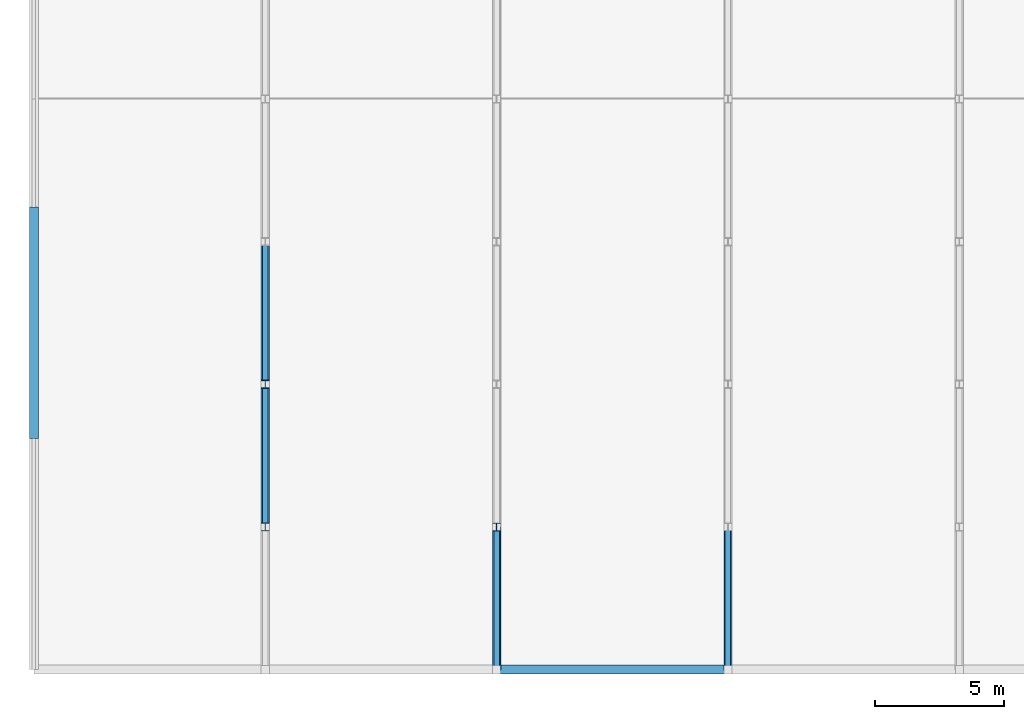
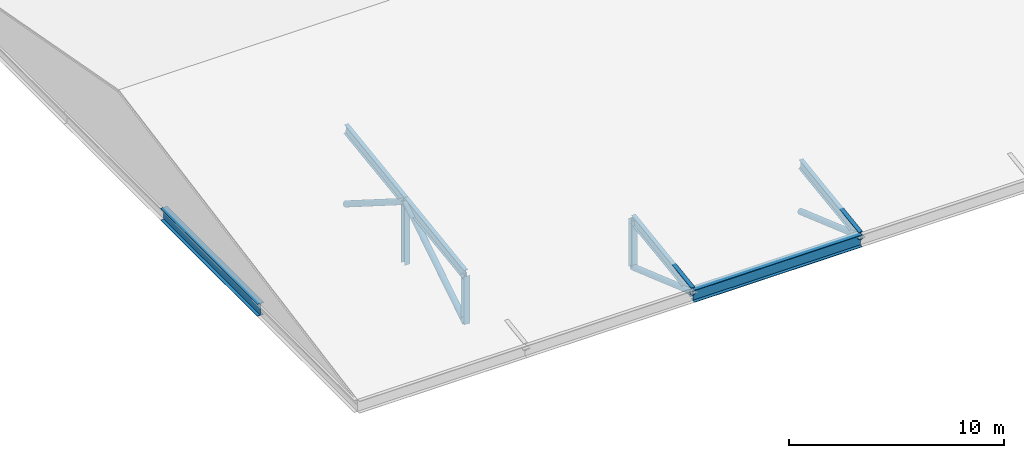
# One storey, part 5 of 103: 11 members, 2 beams.
"""IFC4 building model written with IfcOpenShell, lengths in metres."""

from ifc_helpers import new_model, si_unit, direction, frame, origin, origin_2d, place, context, subcontext, project, spatial, hollow_circle, i_section, extrude, material, material_profile, profile_set, type_object, element, save


model = new_model("IFC4")

# Units and contexts
model_context = context("Model", 3, precision=1e-05, world=origin(), true_north=direction((0.0, 1.0)))
body_context = subcontext(model_context, "Body", "Model", "MODEL_VIEW")
ifc_project = project(units=[si_unit("LENGTHUNIT", "METRE"), si_unit("AREAUNIT", "SQUARE_METRE"), si_unit("VOLUMEUNIT", "CUBIC_METRE"), si_unit("PLANEANGLEUNIT", "RADIAN"), si_unit("MASSUNIT", "GRAM", prefix="KILO")], contexts=[model_context])

# Site, building, storey
site_placement = place(None, origin())
site = spatial("IfcSite", under=ifc_project, at=site_placement, CompositionType="ELEMENT")
building_placement = place(site_placement, origin())
building = spatial("IfcBuilding", under=site, at=building_placement, Name="Cazmaro Siding Exhibition Halls", CompositionType="ELEMENT")
storey_placement = place(building_placement, frame((0.0, 0.0, 16.5)))
storey = spatial("IfcBuildingStorey", under=building, at=storey_placement, Name="L03", CompositionType="ELEMENT", Elevation=16.5)

# Beams
ifc_material_1 = material(Name="Steel ASTM A992 Grade 50", Category="steel")
ifc_material_profile_1 = material_profile(ifc_material_1, i_section(OverallWidth=0.35595703125, OverallDepth=0.696044921875, WebThickness=0.014892578125, FlangeThickness=0.02490234375, at=origin_2d()), Name="W27X146")
ifc_profile_set_1 = profile_set([ifc_material_profile_1], Name="Steel ASTM A992 Grade 50")
beam_type = type_object("IfcBeamType", Name="G-05", PredefinedType="USERDEFINED", material=ifc_profile_set_1)
for number, where, z_axis, x_axis, name in (
    (1, (18.0, 9.0, 0.35205078125), (1.0, 0.0, 0.0), (0.0, 1.0, 0.0), "Beam G-05 BM-1733"),
    (2, (0.0, 27.0, 0.35205078125), (0.0, -1.0, 0.0), (1.0, 0.0, 0.0), "Beam G-05 BM-1769"),
):
    element("IfcBeam", number, at=place(storey_placement, frame(where, z_axis=z_axis, x_axis=x_axis)), inside=storey, type_object=beam_type, Name=name, ObjectType="GIRDER", PredefinedType="USERDEFINED", context=body_context, shape_type="SweptSolid", body=[
        extrude(i_section(OverallWidth=0.35595703125, OverallDepth=0.696044921875, WebThickness=0.014892578125, FlangeThickness=0.02490234375, at=origin_2d()), origin(), (0.0, 0.0, 1.0), 9.0),
    ])

# Members
ifc_material_2 = material(Name="Steel ASTM A992 Grade 50", Category="steel")
ifc_material_profile_2 = material_profile(ifc_material_2, i_section(OverallWidth=0.214111328125, OverallDepth=0.549072265625, WebThickness=0.014892578125, FlangeThickness=0.02392578125, at=origin_2d()), Name="W21X93")
ifc_profile_set_2 = profile_set([ifc_material_profile_2], Name="Steel ASTM A992 Grade 50")
member_type_1 = type_object("IfcMemberType", Name="TC-04", PredefinedType="CHORD", material=ifc_profile_set_2)
member_1_placement = place(storey_placement, frame((9.0, 14.550048828125, 1.280029296875), z_axis=(0.0, 0.990267557209, 0.139176740654), x_axis=(-1.0, 0.0, 0.0)))
element("IfcMember", 3, at=member_1_placement, inside=storey, type_object=member_type_1, Name="Congress folded roof top chord TC-04 MEM-3247", PredefinedType="CHORD", context=body_context, shape_type="SweptSolid", body=[
    extrude(i_section(OverallWidth=0.214111328125, OverallDepth=0.549072265625, WebThickness=0.014892578125, FlangeThickness=0.02392578125, at=origin_2d()), origin(), (0.0, 0.0, 1.0), 5.6044921875),
])
member_2_placement = place(storey_placement, frame((9.0, 20.10009765625, 2.06005859375), z_axis=(0.0, 0.990266713375, 0.139182744555), x_axis=(-1.0, 0.0, 0.0)))
element("IfcMember", 4, at=member_2_placement, inside=storey, type_object=member_type_1, Name="Congress folded roof top chord TC-04 MEM-3250", PredefinedType="CHORD", context=body_context, shape_type="SweptSolid", body=[
    extrude(i_section(OverallWidth=0.214111328125, OverallDepth=0.549072265625, WebThickness=0.014892578125, FlangeThickness=0.02392578125, at=origin_2d()), origin(), (0.0, 0.0, 1.0), 5.604248046875),
])
for number, where, z_axis, x_axis, name in (
    (5, (18.0, 9.0, 0.5), (0.0, 0.990267557209, 0.139176740654), (-1.0, 0.0, 0.0), "Congress folded roof top chord TC-04 MEM-3275"),
    (6, (27.0, 9.0, 0.5), (0.0, 0.990267557209, 0.139176740654), (-1.0, 0.0, 0.0), "Congress folded roof top chord TC-04 MEM-3306"),
):
    element("IfcMember", number, at=place(storey_placement, frame(where, z_axis=z_axis, x_axis=x_axis)), inside=storey, type_object=member_type_1, Name=name, PredefinedType="CHORD", context=body_context, shape_type="SweptSolid", body=[
        extrude(i_section(OverallWidth=0.214111328125, OverallDepth=0.549072265625, WebThickness=0.014892578125, FlangeThickness=0.02392578125, at=origin_2d()), origin(), (0.0, 0.0, 1.0), 5.6044921875),
    ])
ifc_material_3 = material(Name="Steel ASTM A992 Grade 50", Category="steel")
ifc_material_profile_3 = material_profile(ifc_material_3, i_section(OverallWidth=0.304931640625, OverallDepth=0.306884765625, WebThickness=0.010009765625, FlangeThickness=0.014892578125, at=origin_2d()), Name="W12X65")
ifc_profile_set_3 = profile_set([ifc_material_profile_3], Name="Steel ASTM A992 Grade 50")
member_type_2 = type_object("IfcMemberType", Name="TP-03", PredefinedType="POST", material=ifc_profile_set_3)
member_3_placement = place(storey_placement, frame((9.0, 14.550048828125, -1.449951171875), z_axis=(0.0, 0.0, 1.0), x_axis=(1.0, 0.0, 0.0)))
element("IfcMember", 7, at=member_3_placement, inside=storey, type_object=member_type_2, Name="Congress roof post TP-03 MEM-3268", PredefinedType="POST", context=body_context, shape_type="SweptSolid", body=[
    extrude(i_section(OverallWidth=0.304931640625, OverallDepth=0.306884765625, WebThickness=0.010009765625, FlangeThickness=0.014892578125, at=origin_2d()), origin(), (0.0, 0.0, 1.0), 2.72998046875),
])
member_4_placement = place(storey_placement, frame((9.0, 20.10009765625, -1.449951171875), z_axis=(0.0, 0.0, 1.0), x_axis=(1.0, 0.0, 0.0)))
element("IfcMember", 8, at=member_4_placement, inside=storey, type_object=member_type_2, Name="Congress roof post TP-03 MEM-3269", PredefinedType="POST", context=body_context, shape_type="SweptSolid", body=[
    extrude(i_section(OverallWidth=0.304931640625, OverallDepth=0.306884765625, WebThickness=0.010009765625, FlangeThickness=0.014892578125, at=origin_2d()), origin(), (0.0, 0.0, 1.0), 3.510009765625),
])
member_5_placement = place(storey_placement, frame((18.0, 14.550048828125, -1.449951171875), z_axis=(0.0, 0.0, 1.0), x_axis=(1.0, 0.0, 0.0)))
element("IfcMember", 9, at=member_5_placement, inside=storey, type_object=member_type_2, Name="Congress roof post TP-03 MEM-3299", PredefinedType="POST", context=body_context, shape_type="SweptSolid", body=[
    extrude(i_section(OverallWidth=0.304931640625, OverallDepth=0.306884765625, WebThickness=0.010009765625, FlangeThickness=0.014892578125, at=origin_2d()), origin(), (0.0, 0.0, 1.0), 2.72998046875),
])
ifc_material_4 = material(Name="Steel ASTM A500 Grade C", Category="steel")
ifc_material_profile_4 = material_profile(ifc_material_4, hollow_circle(Radius=0.162109375, WallThickness=0.012939453125, at=origin_2d()), Name="PIPE12XS")
ifc_profile_set_4 = profile_set([ifc_material_profile_4], Name="Steel ASTM A500 Grade C")
member_type_3 = type_object("IfcMemberType", Name="WB-03", PredefinedType="BRACE", material=ifc_profile_set_4)
member_6_placement = place(storey_placement, frame((9.0, 14.550048828125, -1.449951171875), z_axis=(0.0, 0.845164526711, 0.53450624205), x_axis=(-1.0, 0.0, 0.0)))
element("IfcMember", 10, at=member_6_placement, inside=storey, type_object=member_type_3, Name="Congress roof diagonal WB-03 MEM-3249", PredefinedType="BRACE", context=body_context, shape_type="SweptSolid", body=[
    extrude(hollow_circle(Radius=0.162109375, WallThickness=0.012939453125, at=origin_2d()), origin(), (0.0, 0.0, 1.0), 6.56689453125),
])
member_7_placement = place(storey_placement, frame((9.0, 20.10009765625, 2.06005859375), z_axis=(0.0, 0.845153904607, -0.534523037416), x_axis=(-1.0, 0.0, 0.0)))
element("IfcMember", 11, at=member_7_placement, inside=storey, type_object=member_type_3, Name="Congress roof diagonal WB-03 MEM-3252", PredefinedType="BRACE", context=body_context, shape_type="SweptSolid", body=[
    extrude(hollow_circle(Radius=0.162109375, WallThickness=0.012939453125, at=origin_2d()), origin(), (0.0, 0.0, 1.0), 6.566650390625),
])
for number, where, z_axis, x_axis, name in (
    (12, (18.0, 9.0, 0.5), (0.0, 0.943463647565, -0.331476010782), (-1.0, 0.0, 0.0), "Congress roof diagonal WB-03 MEM-3277"),
    (13, (27.0, 9.0, 0.5), (0.0, 0.943463647565, -0.331476010782), (-1.0, 0.0, 0.0), "Congress roof diagonal WB-03 MEM-3308"),
):
    element("IfcMember", number, at=place(storey_placement, frame(where, z_axis=z_axis, x_axis=x_axis)), inside=storey, type_object=member_type_3, Name=name, PredefinedType="BRACE", context=body_context, shape_type="SweptSolid", body=[
        extrude(hollow_circle(Radius=0.162109375, WallThickness=0.012939453125, at=origin_2d()), origin(), (0.0, 0.0, 1.0), 5.882568359375),
    ])

save(model, "model.ifc")
